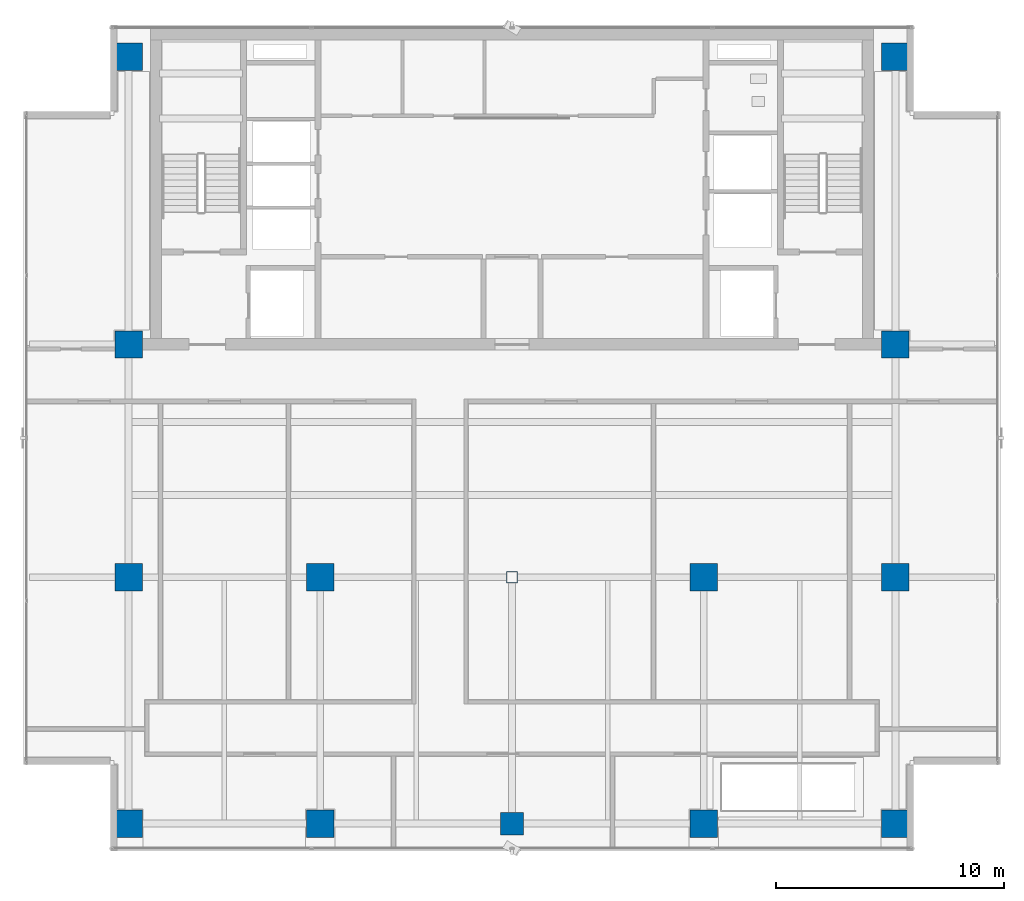
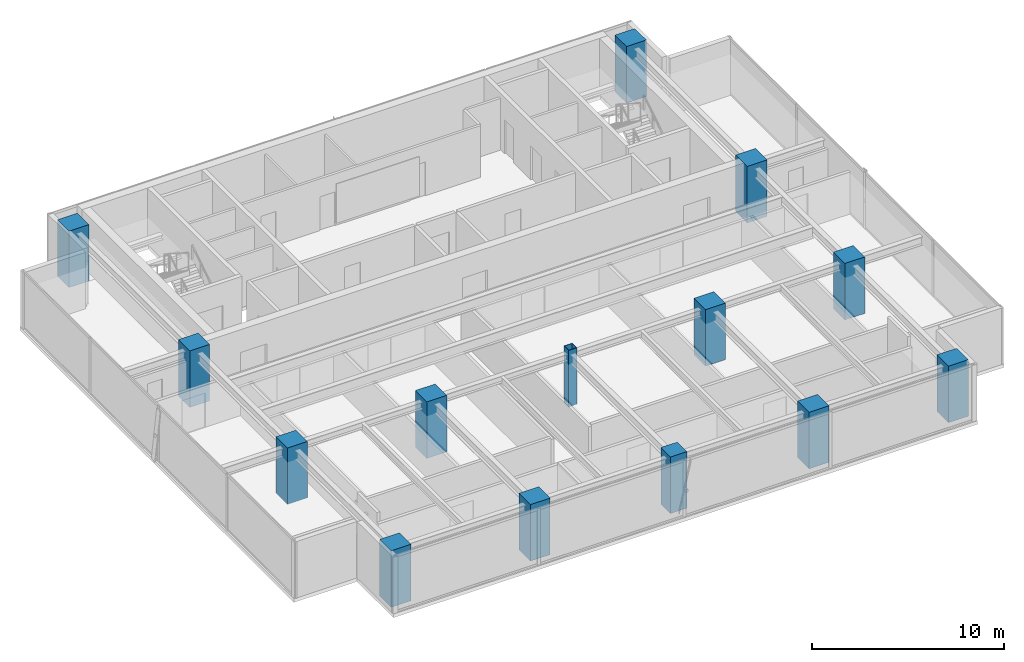
# One storey, part 1 of 21: 14 columns.
"""IFC4 building model written with IfcOpenShell, lengths in metres."""

from ifc_helpers import new_model, si_unit, direction, frame, origin, origin_with_axes, origin_2d, place, context, subcontext, project, spatial, rectangle, hollow_rectangle, extrude, source, transform, mapped, material, material_profile, profile_set, type_object, element, save


model = new_model("IFC4")

# Units and contexts
model_context = context("Model", 3, precision=1e-05, world=origin(), true_north=direction((0.0, 1.0)))
body_context = subcontext(model_context, "Body", "Model", "MODEL_VIEW")
ifc_project = project(units=[si_unit("LENGTHUNIT", "METRE"), si_unit("AREAUNIT", "SQUARE_METRE"), si_unit("VOLUMEUNIT", "CUBIC_METRE"), si_unit("PLANEANGLEUNIT", "RADIAN"), si_unit("MASSUNIT", "GRAM", prefix="KILO")], contexts=[model_context])

# Site, building, storey
site_placement = place(None, origin())
site = spatial("IfcSite", under=ifc_project, at=site_placement, CompositionType="ELEMENT")
building_placement = place(site_placement, origin())
building = spatial("IfcBuilding", under=site, at=building_placement, Name="Sumidabori Civic Tower", CompositionType="ELEMENT")
storey_placement = place(building_placement, frame((0.0, 0.0, 290.0)))
storey = spatial("IfcBuildingStorey", under=building, at=storey_placement, Name="L76", CompositionType="ELEMENT", Elevation=290.0)

# Columns
ifc_material_1 = material(Name="Concrete C50/60", Category="concrete")
ifc_material_profile_1 = material_profile(ifc_material_1, rectangle(XDim=1.0, YDim=1.0, at=origin_2d()), Name="RC 1000x1000")
ifc_profile_set_1 = profile_set([ifc_material_profile_1], Name="Concrete C50/60")
column_type_1 = type_object("IfcColumnType", Name="CL-INT-1000", PredefinedType="COLUMN", material=ifc_profile_set_1)
shared_shape_1 = source(origin(), body_context, "Body", "SweptSolid", [
    extrude(rectangle(XDim=1.0, YDim=1.0, at=origin_2d()), origin(), (0.0, 0.0, 1.0), 3.60009765625),
])
column_1_placement = place(storey_placement, frame((0.0, -10.800048828125, 0.0), z_axis=(0.0, 0.0, 1.0), x_axis=(1.0, 0.0, 0.0)))
element("IfcColumn", 1, at=column_1_placement, inside=storey, type_object=column_type_1, Name="Column MC-C00-Y11S L76", PredefinedType="COLUMN", context=body_context, shape_type="MappedRepresentation", body=[
    mapped(shared_shape_1, transform((0.0, 0.0, 0.0), x_axis=(1.0, 0.0, 0.0), y_axis=(0.0, 1.0, 0.0), z_axis=(0.0, 0.0, 1.0), scale=1.0)),
])
ifc_material_profile_2 = material_profile(ifc_material_1, rectangle(XDim=1.199951171875, YDim=1.199951171875, at=origin_2d()), Name="RC 1200x1200")
ifc_profile_set_2 = profile_set([ifc_material_profile_2], Name="Concrete C50/60")
column_type_2 = type_object("IfcColumnType", Name="CL-MEGA-1200", PredefinedType="COLUMN", material=ifc_profile_set_2)
shared_shape_2 = source(origin(), body_context, "Body", "SweptSolid", [
    extrude(rectangle(XDim=1.199951171875, YDim=1.199951171875, at=origin_2d()), origin(), (0.0, 0.0, 1.0), 3.60009765625),
])
for number, where, z_axis, x_axis, name in (
    (2, (-16.800048828125, -10.800048828125, 0.0), (0.0, 0.0, 1.0), (1.0, 0.0, 0.0), "Column MC-W16-Y11S L76"),
    (3, (-16.800048828125, 0.0, 0.0), (0.0, 0.0, 1.0), (1.0, 0.0, 0.0), "Column MC-W16-Y00 L76"),
    (4, (-16.800048828125, 10.199951171875, 0.0), (0.0, 0.0, 1.0), (1.0, 0.0, 0.0), "Column MC-W16-Y10N L76"),
    (5, (-16.800048828125, 22.800048828125, 0.0), (0.0, 0.0, 1.0), (1.0, 0.0, 0.0), "Column MC-W16-Y23N L76"),
    (6, (16.800048828125, -10.800048828125, 0.0), (0.0, 0.0, 1.0), (1.0, 0.0, 0.0), "Column MC-E16-Y11S L76"),
    (7, (16.800048828125, 0.0, 0.0), (0.0, 0.0, 1.0), (1.0, 0.0, 0.0), "Column MC-E16-Y00 L76"),
    (8, (16.800048828125, 10.199951171875, 0.0), (0.0, 0.0, 1.0), (1.0, 0.0, 0.0), "Column MC-E16-Y10N L76"),
    (9, (16.800048828125, 22.800048828125, 0.0), (0.0, 0.0, 1.0), (1.0, 0.0, 0.0), "Column MC-E16-Y23N L76"),
    (10, (-8.39990234375, 0.0, 0.0), (0.0, 0.0, 1.0), (1.0, 0.0, 0.0), "Column MC-W08-Y00 L76"),
    (11, (-8.39990234375, -10.800048828125, 0.0), (0.0, 0.0, 1.0), (1.0, 0.0, 0.0), "Column MC-W08-Y11S L76"),
    (12, (8.39990234375, 0.0, 0.0), (0.0, 0.0, 1.0), (1.0, 0.0, 0.0), "Column MC-E08-Y00 L76"),
    (13, (8.39990234375, -10.800048828125, 0.0), (0.0, 0.0, 1.0), (1.0, 0.0, 0.0), "Column MC-E08-Y11S L76"),
):
    element("IfcColumn", number, at=place(storey_placement, frame(where, z_axis=z_axis, x_axis=x_axis)), inside=storey, type_object=column_type_2, Name=name, PredefinedType="COLUMN", context=body_context, shape_type="MappedRepresentation", body=[
        mapped(shared_shape_2, transform((0.0, 0.0, 0.0), x_axis=(1.0, 0.0, 0.0), y_axis=(0.0, 1.0, 0.0), z_axis=(0.0, 0.0, 1.0), scale=1.0)),
    ])
ifc_material_2 = material(Name="Steel SN490", Category="steel")
ifc_material_profile_3 = material_profile(ifc_material_2, hollow_rectangle(XDim=0.5, YDim=0.5, WallThickness=0.02490234375, at=origin_2d()), Name="SHS 500x500x25")
ifc_profile_set_3 = profile_set([ifc_material_profile_3], Name="Steel SN490")
column_type_3 = type_object("IfcColumnType", Name="CL-CRN-SHS500", PredefinedType="COLUMN", material=ifc_profile_set_3)
shared_shape_3 = source(origin(), body_context, "Body", "SweptSolid", [
    extrude(hollow_rectangle(XDim=0.5, YDim=0.5, WallThickness=0.02490234375, at=origin_2d()), origin(), (0.0, 0.0, 1.0), 3.60009765625),
])
column_2_placement = place(storey_placement, origin_with_axes())
element("IfcColumn", 14, at=column_2_placement, inside=storey, type_object=column_type_3, Name="Column MC-C00-Y00 L76", PredefinedType="COLUMN", context=body_context, shape_type="MappedRepresentation", body=[
    mapped(shared_shape_3, transform((0.0, 0.0, 0.0), x_axis=(1.0, 0.0, 0.0), y_axis=(0.0, 1.0, 0.0), z_axis=(0.0, 0.0, 1.0), scale=1.0)),
])

save(model, "model.ifc")
